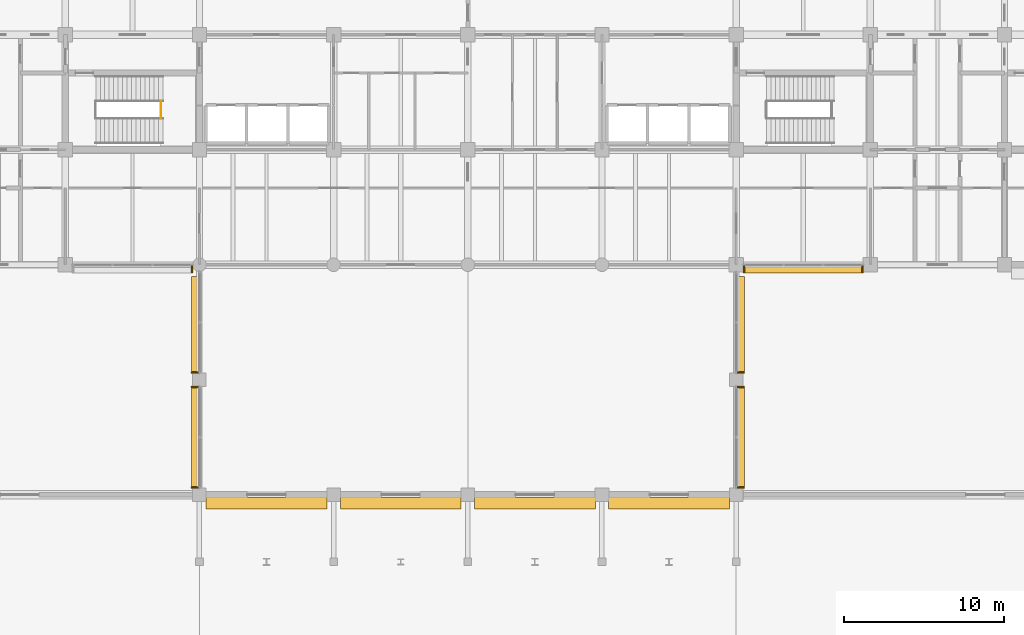
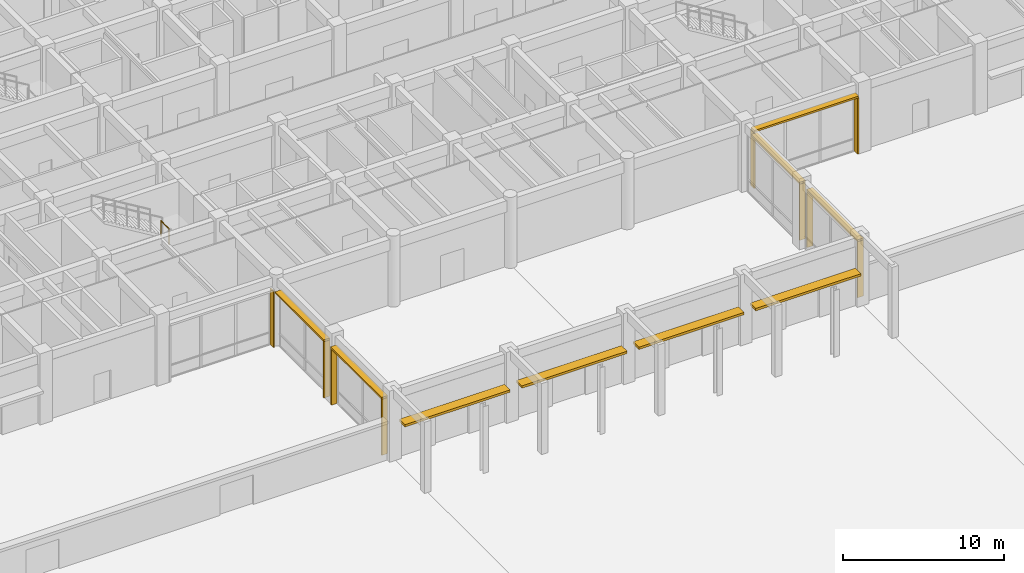
# One storey, part 69 of 73: 18 shading devices, 1 railing.
"""IFC4 building model written with IfcOpenShell, lengths in metres."""

from ifc_helpers import new_model, si_unit, direction, frame, origin, origin_2d, place, context, subcontext, project, spatial, rectangle, circle, extrude, material, type_object, element, save


model = new_model("IFC4")

# Units and contexts
model_context = context("Model", 3, precision=1e-05, world=origin(), true_north=direction((0.0, 1.0)))
body_context = subcontext(model_context, "Body", "Model", "MODEL_VIEW")
ifc_project = project(units=[si_unit("LENGTHUNIT", "METRE"), si_unit("AREAUNIT", "SQUARE_METRE"), si_unit("VOLUMEUNIT", "CUBIC_METRE"), si_unit("PLANEANGLEUNIT", "RADIAN"), si_unit("MASSUNIT", "GRAM", prefix="KILO")], contexts=[model_context])

# Site, building, storey
site_placement = place(None, origin())
site = spatial("IfcSite", under=ifc_project, at=site_placement, CompositionType="ELEMENT")
building_placement = place(site_placement, origin())
building = spatial("IfcBuilding", under=site, at=building_placement, Name="Chengyuan Square Courthouse", CompositionType="ELEMENT")
storey_placement = place(building_placement, origin())
storey = spatial("IfcBuildingStorey", under=building, at=storey_placement, Name="L01", CompositionType="ELEMENT", Elevation=0.0)

# Railing
ifc_material_1 = material(Name="Tempered Glass and Timber Top-Rail Balustrade", Category="wood")
railing_type = type_object("IfcRailingType", Name="RL-02", PredefinedType="BALUSTRADE", material=ifc_material_1)
railing_placement = place(storey_placement, frame((64.7900390625, 88.39990234375, 2.699951171875)))
element("IfcRailing", 1, at=railing_placement, inside=storey, type_object=railing_type, Name="Stair Landing Guard ST-3-L01", PredefinedType="BALUSTRADE", context=body_context, shape_type="SweptSolid", body=[
    extrude(circle(Radius=0.02392578125, at=origin_2d()), frame((0.0, 0.0, 1.17578125), z_axis=(0.0, 1.0, 0.0), x_axis=(-1.0, 0.0, 0.0)), (0.0, 0.0, 1.0), 1.0),
    extrude(circle(Radius=0.02099609375, at=origin_2d()), origin(), (0.0, 0.0, 1.0), 1.15185546875),
    extrude(circle(Radius=0.02099609375, at=origin_2d()), frame((0.0, 1.0, 0.0)), (0.0, 0.0, 1.0), 1.15185546875),
])

# Shading devices
ifc_material_2 = material(Name="Glulam TCt28 Solar Shading Fin", Category="wood")
shading_device_type_1 = type_object("IfcShadingDeviceType", Name="SHD-01", PredefinedType="JALOUSIE", material=ifc_material_2)
for number, where, z_axis, x_axis, name in (
    (2, (66.7451171875, 78.91796875, 0.0400390625), (0.0, 0.0, 1.0), (0.0, 1.0, 0.0), "Glulam Solar Fin SHD-L01-0055"),
    (3, (66.907958984375, 65.257568359375, 0.0400390625), (0.0, 0.0, 1.0), (1.0, 0.0, 0.0), "Glulam Solar Fin SHD-L01-0058"),
    (4, (66.907958984375, 71.54248046875, 0.0400390625), (0.0, 0.0, 1.0), (1.0, 0.0, 0.0), "Glulam Solar Fin SHD-L01-0059"),
    (5, (66.907958984375, 72.45751953125, 0.0400390625), (0.0, 0.0, 1.0), (1.0, 0.0, 0.0), "Glulam Solar Fin SHD-L01-0061"),
    (6, (101.092041015625, 65.257568359375, 0.0400390625), (0.0, 0.0, 1.0), (1.0, 0.0, 0.0), "Glulam Solar Fin SHD-L01-0066"),
    (7, (101.092041015625, 71.54248046875, 0.0400390625), (0.0, 0.0, 1.0), (1.0, 0.0, 0.0), "Glulam Solar Fin SHD-L01-0067"),
    (8, (101.092041015625, 72.45751953125, 0.0400390625), (0.0, 0.0, 1.0), (1.0, 0.0, 0.0), "Glulam Solar Fin SHD-L01-0069"),
    (9, (101.280029296875, 78.91796875, 0.0400390625), (0.0, 0.0, 1.0), (0.0, 1.0, 0.0), "Glulam Solar Fin SHD-L01-0071"),
    (10, (108.719970703125, 78.91796875, 0.0400390625), (0.0, 0.0, 1.0), (0.0, 1.0, 0.0), "Glulam Solar Fin SHD-L01-0072"),
):
    element("IfcShadingDevice", number, at=place(storey_placement, frame(where, z_axis=z_axis, x_axis=x_axis)), inside=storey, type_object=shading_device_type_1, Name=name, PredefinedType="JALOUSIE", context=body_context, shape_type="SweptSolid", body=[
        extrude(rectangle(XDim=0.419921875, YDim=0.094970703125, at=origin_2d()), origin(), (0.0, 0.0, 1.0), 4.260009765625),
    ])
ifc_material_3 = material(Name="Glulam TCt28 Sunshade Louvre", Category="wood")
shading_device_type_2 = type_object("IfcShadingDeviceType", Name="SHD-02", PredefinedType="AWNING", material=ifc_material_3)
shading_device_1_placement = place(storey_placement, frame((66.907958984375, 68.39990234375, 4.30029296875), z_axis=(0.0, 0.0, 1.0), x_axis=(0.0, 1.0, 0.0)))
element("IfcShadingDevice", 11, at=shading_device_1_placement, inside=storey, type_object=shading_device_type_2, Name="Glulam Sunshade Louvre SHD-L01-0060", PredefinedType="AWNING", context=body_context, shape_type="SweptSolid", body=[
    extrude(rectangle(XDim=6.35009765625, YDim=0.43994140625, at=origin_2d()), origin(), (0.0, 0.0, 1.0), 0.139892578125),
])
shading_device_2_placement = place(storey_placement, frame((66.907958984375, 75.449951171875, 4.30029296875), z_axis=(0.0, 0.0, 1.0), x_axis=(0.0, 1.0, 0.0)))
element("IfcShadingDevice", 12, at=shading_device_2_placement, inside=storey, type_object=shading_device_type_2, Name="Glulam Sunshade Louvre SHD-L01-0062", PredefinedType="AWNING", context=body_context, shape_type="SweptSolid", body=[
    extrude(rectangle(XDim=6.050048828125, YDim=0.43994140625, at=origin_2d()), origin(), (0.0, 0.0, 1.0), 0.139892578125),
])
shading_device_3_placement = place(storey_placement, frame((101.092041015625, 68.39990234375, 4.30029296875), z_axis=(0.0, 0.0, 1.0), x_axis=(0.0, 1.0, 0.0)))
element("IfcShadingDevice", 13, at=shading_device_3_placement, inside=storey, type_object=shading_device_type_2, Name="Glulam Sunshade Louvre SHD-L01-0068", PredefinedType="AWNING", context=body_context, shape_type="SweptSolid", body=[
    extrude(rectangle(XDim=6.35009765625, YDim=0.43994140625, at=origin_2d()), origin(), (0.0, 0.0, 1.0), 0.139892578125),
])
shading_device_4_placement = place(storey_placement, frame((101.092041015625, 75.4375, 4.30029296875), z_axis=(0.0, 0.0, 1.0), x_axis=(0.0, 1.0, 0.0)))
element("IfcShadingDevice", 14, at=shading_device_4_placement, inside=storey, type_object=shading_device_type_2, Name="Glulam Sunshade Louvre SHD-L01-0070", PredefinedType="AWNING", context=body_context, shape_type="SweptSolid", body=[
    extrude(rectangle(XDim=6.02490234375, YDim=0.43994140625, at=origin_2d()), origin(), (0.0, 0.0, 1.0), 0.139892578125),
])
shading_device_5_placement = place(storey_placement, frame((105.0, 78.91796875, 4.30029296875), z_axis=(0.0, 0.0, 1.0), x_axis=(1.0, 0.0, 0.0)))
element("IfcShadingDevice", 15, at=shading_device_5_placement, inside=storey, type_object=shading_device_type_2, Name="Glulam Sunshade Louvre SHD-L01-0073", PredefinedType="AWNING", context=body_context, shape_type="SweptSolid", body=[
    extrude(rectangle(XDim=7.5, YDim=0.43994140625, at=origin_2d()), origin(), (0.0, 0.0, 1.0), 0.139892578125),
])
ifc_material_4 = material(Name="Glulam TCt28 Entrance Canopy", Category="wood")
shading_device_type_3 = type_object("IfcShadingDeviceType", Name="SHD-05", PredefinedType="AWNING", material=ifc_material_4)
for number, where, z_axis, x_axis, name in (
    (16, (71.39990234375, 64.26806640625, 2.66015625), (0.0, 0.0, 1.0), (1.0, 0.0, 0.0), "Glulam Entrance Canopy SHD-L01-0057"),
    (17, (79.800048828125, 64.26806640625, 2.66015625), (0.0, 0.0, 1.0), (1.0, 0.0, 0.0), "Glulam Entrance Canopy SHD-L01-0063"),
    (18, (88.199951171875, 64.26806640625, 2.66015625), (0.0, 0.0, 1.0), (1.0, 0.0, 0.0), "Glulam Entrance Canopy SHD-L01-0064"),
    (19, (96.60009765625, 64.26806640625, 2.66015625), (0.0, 0.0, 1.0), (1.0, 0.0, 0.0), "Glulam Entrance Canopy SHD-L01-0065"),
):
    element("IfcShadingDevice", number, at=place(storey_placement, frame(where, z_axis=z_axis, x_axis=x_axis)), inside=storey, type_object=shading_device_type_3, Name=name, PredefinedType="AWNING", context=body_context, shape_type="SweptSolid", body=[
        extrude(rectangle(XDim=7.56005859375, YDim=0.699951171875, at=origin_2d()), origin(), (0.0, 0.0, 1.0), 0.179931640625),
    ])

save(model, "model.ifc")
